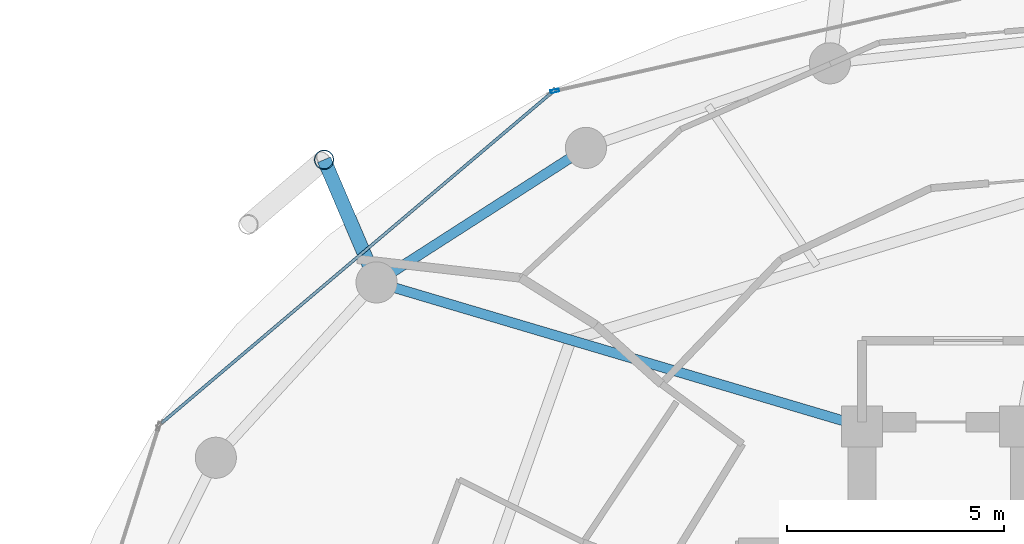
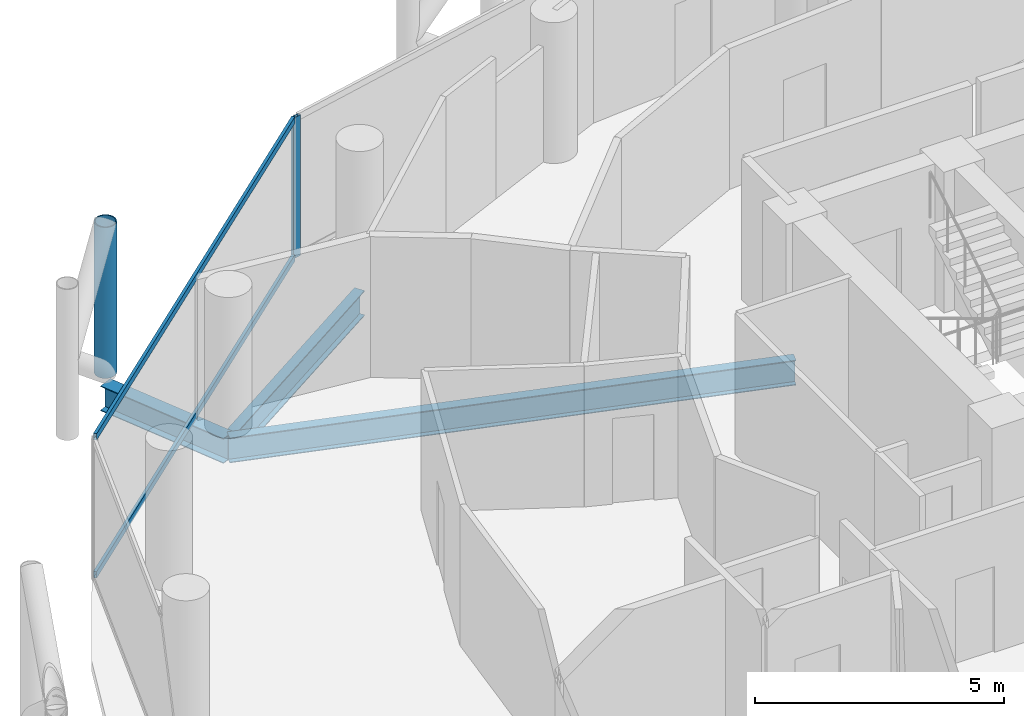
# One storey, part 14 of 27: 4 members, 3 beams, 2 elements without a shape of their own.
"""IFC4 building model written with IfcOpenShell, lengths in metres."""

from ifc_helpers import new_model, si_unit, direction, frame, origin, origin_2d, place, context, subcontext, project, spatial, hollow_rectangle, hollow_circle, i_section, extrude, material, layer, layer_set, material_profile, profile_set, type_object, element, aggregate, save


model = new_model("IFC4")

# Units and contexts
model_context = context("Model", 3, precision=1e-05, world=origin(), true_north=direction((0.0, 1.0)))
body_context = subcontext(model_context, "Body", "Model", "MODEL_VIEW")
ifc_project = project(units=[si_unit("LENGTHUNIT", "METRE"), si_unit("AREAUNIT", "SQUARE_METRE"), si_unit("VOLUMEUNIT", "CUBIC_METRE"), si_unit("PLANEANGLEUNIT", "RADIAN"), si_unit("MASSUNIT", "GRAM", prefix="KILO")], contexts=[model_context])

# Site, building, storey
site_placement = place(None, origin())
site = spatial("IfcSite", under=ifc_project, at=site_placement, CompositionType="ELEMENT")
building_placement = place(site_placement, origin())
building = spatial("IfcBuilding", under=site, at=building_placement, Name="Nuhasar Tower", CompositionType="ELEMENT")
storey_placement = place(building_placement, frame((0.0, 0.0, 158.949951171875)))
storey = spatial("IfcBuildingStorey", under=building, at=storey_placement, Name="L38", CompositionType="ELEMENT", Elevation=158.949951171875)

# Beams
ifc_material_1 = material(Name="Steel S355", Category="steel")
ifc_material_profile_1 = material_profile(ifc_material_1, i_section(OverallWidth=0.22900390625, OverallDepth=0.612060546875, WebThickness=0.011962890625, FlangeThickness=0.01953125, at=origin_2d()), Name="W24X84")
ifc_profile_set_1 = profile_set([ifc_material_profile_1], Name="Steel S355")
beam_type_1 = type_object("IfcBeamType", Name="BM-RAD-W24X84", PredefinedType="BEAM", material=ifc_profile_set_1)
beam_1_placement = place(storey_placement, frame((33.699951171875, 37.300048828125, -0.555908203125), z_axis=(-0.958746492721, 0.284262489076, 0.0), x_axis=(-0.284262489076, -0.958746492721, 0.0)))
element("IfcBeam", 1, at=beam_1_placement, inside=storey, type_object=beam_type_1, Name="L38 Radial Floor Girder 07", PredefinedType="BEAM", context=body_context, shape_type="SweptSolid", body=[
    extrude(i_section(OverallWidth=0.22900390625, OverallDepth=0.612060546875, WebThickness=0.011962890625, FlangeThickness=0.01953125, at=origin_2d()), origin(), (0.0, 0.0, 1.0), 11.693359375),
])
ifc_material_profile_2 = material_profile(ifc_material_1, i_section(OverallWidth=0.22998046875, OverallDepth=0.616943359375, WebThickness=0.01318359375, FlangeThickness=0.022216796875, at=origin_2d()), Name="W24X94")
ifc_profile_set_2 = profile_set([ifc_material_profile_2], Name="Steel S355")
beam_type_2 = type_object("IfcBeamType", Name="BM-RING-W24X94", PredefinedType="SPANDREL", material=ifc_profile_set_2)
beam_2_placement = place(storey_placement, frame((27.324951171875, 43.73095703125, -0.558837890625), z_axis=(-0.841327486207, -0.540525726448, 0.0), x_axis=(0.540525726448, -0.841327486207, 0.0)))
element("IfcBeam", 2, at=beam_2_placement, inside=storey, type_object=beam_type_2, Name="L38 Perimeter Ring Spandrel 09", PredefinedType="SPANDREL", context=body_context, shape_type="SweptSolid", body=[
    extrude(i_section(OverallWidth=0.22998046875, OverallDepth=0.616943359375, WebThickness=0.01318359375, FlangeThickness=0.022216796875, at=origin_2d()), origin(), (0.0, 0.0, 1.0), 5.748046875),
])
ifc_material_profile_3 = material_profile(ifc_material_1, i_section(OverallWidth=0.323974609375, OverallDepth=0.611083984375, WebThickness=0.0126953125, FlangeThickness=0.01904296875, at=origin_2d()), Name="W24X104")
ifc_profile_set_3 = profile_set([ifc_material_profile_3], Name="Steel S355")
beam_type_3 = type_object("IfcBeamType", Name="BM-TIE-W24X104", PredefinedType="BEAM", material=ifc_profile_set_3)
beam_3_placement = place(storey_placement, frame((22.489013671875, 40.6240234375, -0.555908203125), z_axis=(-0.39330721304, 0.919407111225, 0.0), x_axis=(-0.919407111225, -0.39330721304, 0.0)))
element("IfcBeam", 3, at=beam_3_placement, inside=storey, type_object=beam_type_3, Name="L38 Exoskeleton Node Tie Beam 05", PredefinedType="BEAM", context=body_context, shape_type="SweptSolid", body=[
    extrude(i_section(OverallWidth=0.323974609375, OverallDepth=0.611083984375, WebThickness=0.0126953125, FlangeThickness=0.01904296875, at=origin_2d()), origin(), (0.0, 0.0, 1.0), 3.081298828125),
])

# Curtain wall, member
ifc_material_2 = material(Name="Aluminium 6063-T6", Category="aluminium")
ifc_layer = layer(ifc_material_2, 0.199951171875)
ifc_layer_set = layer_set([ifc_layer], Name="Aluminium 6063-T6")
curtain_wall_type = type_object("IfcCurtainWallType", Name="CW-Z2-HTL", PredefinedType="NOTDEFINED", material=ifc_layer_set)
curtain_wall_1_placement = place(storey_placement, origin())
curtain_wall_1 = element("IfcCurtainWall", 4, at=curtain_wall_1_placement, inside=storey, type_object=curtain_wall_type, Name="L38 Unitised Curtain Wall 04", PredefinedType="NOTDEFINED")
ifc_material_profile_4 = material_profile(ifc_material_2, hollow_rectangle(XDim=0.070068359375, YDim=0.199951171875, WallThickness=0.0048828125, at=origin_2d()), Name="CWM-3")
ifc_profile_set_4 = profile_set([ifc_material_profile_4], Name="Aluminium 6063-T6")
member_type_1 = type_object("IfcMemberType", Name="CW-MUL-S3", PredefinedType="MULLION", material=ifc_profile_set_4)
member_1_placement = place(storey_placement, frame((26.604248046875, 45.045654296875, 0.0), z_axis=(0.0, 0.0, 1.0), x_axis=(0.22139729566, -0.975183694221, 0.0)))
member_1 = element("IfcMember", 5, at=member_1_placement, type_object=member_type_1, Name="CW-Z2 mullion 2", PredefinedType="MULLION", context=body_context, shape_type="SweptSolid", body=[
    extrude(hollow_rectangle(XDim=0.070068359375, YDim=0.199951171875, WallThickness=0.0048828125, at=origin_2d()), origin(), (0.0, 0.0, 1.0), 3.449951171875),
])
aggregate(curtain_wall_1, [member_1])

# Curtain wall, members
curtain_wall_2_placement = place(storey_placement, origin())
curtain_wall_2 = element("IfcCurtainWall", 6, at=curtain_wall_2_placement, inside=storey, type_object=curtain_wall_type, Name="L38 Unitised Curtain Wall 05", PredefinedType="NOTDEFINED")
ifc_material_profile_5 = material_profile(ifc_material_2, hollow_rectangle(XDim=0.070068359375, YDim=0.159912109375, WallThickness=0.00439453125, at=origin_2d()), Name="CWT-3")
ifc_profile_set_5 = profile_set([ifc_material_profile_5], Name="Aluminium 6063-T6")
member_type_2 = type_object("IfcMemberType", Name="CW-TRN-S3", PredefinedType="USERDEFINED", material=ifc_profile_set_5)
member_2_placement = place(storey_placement, frame((26.5166015625, 44.99267578125, 0.03515625), z_axis=(-0.763023915269, -0.646370253592, 0.0), x_axis=(0.646370253592, -0.763023915269, 0.0)))
member_2 = element("IfcMember", 7, at=member_2_placement, type_object=member_type_2, Name="CW-Z2 transom 1.1", ObjectType="TRANSOM", PredefinedType="USERDEFINED", context=body_context, shape_type="SweptSolid", body=[
    extrude(hollow_rectangle(XDim=0.070068359375, YDim=0.159912109375, WallThickness=0.00439453125, at=origin_2d()), origin(), (0.0, 0.0, 1.0), 11.784912109375),
])
member_3_placement = place(storey_placement, frame((26.5166015625, 44.99267578125, 3.4150390625), z_axis=(-0.763023915269, -0.646370253592, 0.0), x_axis=(0.646370253592, -0.763023915269, 0.0)))
member_3 = element("IfcMember", 8, at=member_3_placement, type_object=member_type_2, Name="CW-Z2 transom 1.2", ObjectType="TRANSOM", PredefinedType="USERDEFINED", context=body_context, shape_type="SweptSolid", body=[
    extrude(hollow_rectangle(XDim=0.070068359375, YDim=0.159912109375, WallThickness=0.00439453125, at=origin_2d()), origin(), (0.0, 0.0, 1.0), 11.784912109375),
])
aggregate(curtain_wall_2, [member_2, member_3])

# Member
ifc_material_3 = material(Name="Steel S460", Category="steel")
ifc_material_profile_6 = material_profile(ifc_material_3, hollow_circle(Radius=0.228515625, WallThickness=0.022216796875, at=origin_2d()), Name="HSS457X22.2")
ifc_profile_set_6 = profile_set([ifc_material_profile_6], Name="Steel S460")
member_type_3 = type_object("IfcMemberType", Name="EXO-BRONZE-457", PredefinedType="BRACE", material=ifc_profile_set_6)
member_4_placement = place(storey_placement, frame((21.277099609375, 43.45703125, 0.0), z_axis=(0.0, 0.0, 1.0), x_axis=(1.0, 0.0, 0.0)))
element("IfcMember", 9, at=member_4_placement, inside=storey, type_object=member_type_3, Name="L38 Exoskeleton Chord Column EC-05A", PredefinedType="BRACE", context=body_context, shape_type="SweptSolid", body=[
    extrude(hollow_circle(Radius=0.228515625, WallThickness=0.022216796875, at=origin_2d()), origin(), (0.0, 0.0, 1.0), 3.699951171875),
])

save(model, "model.ifc")
